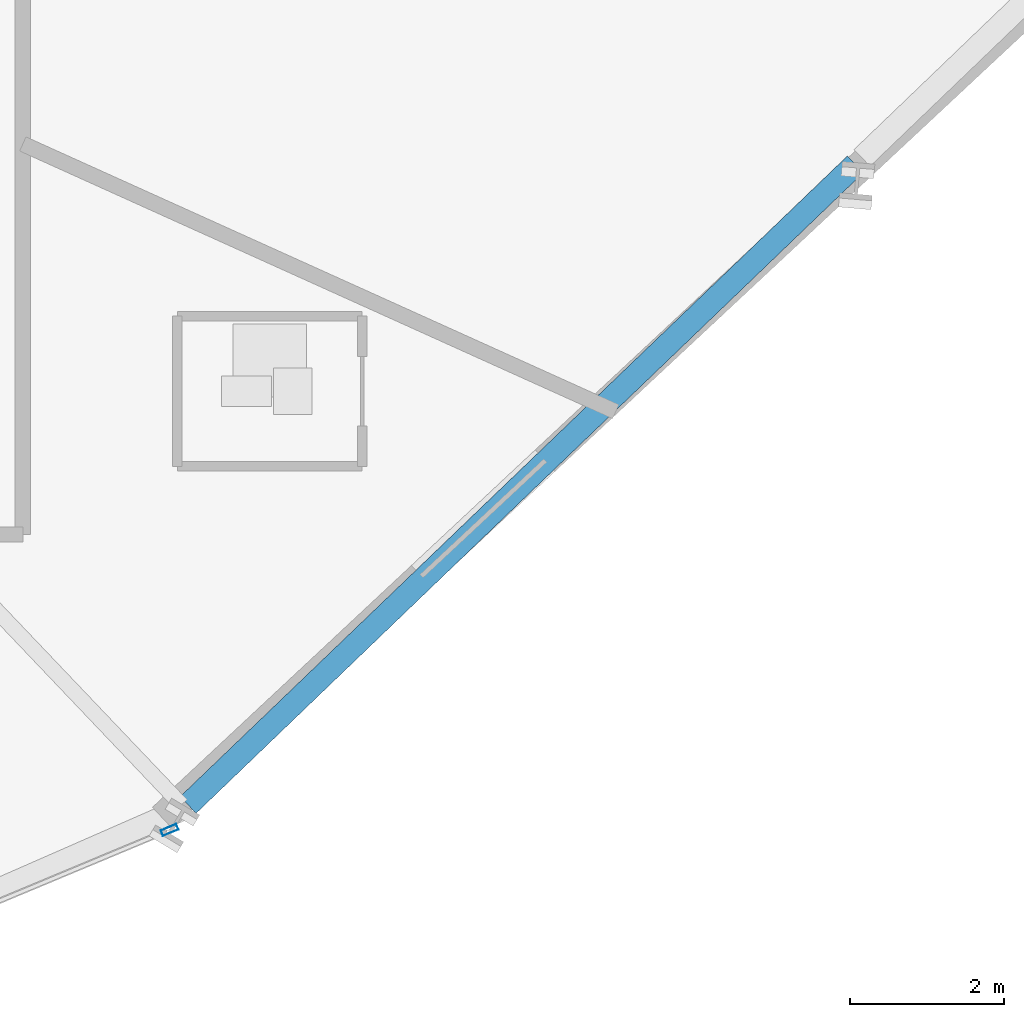
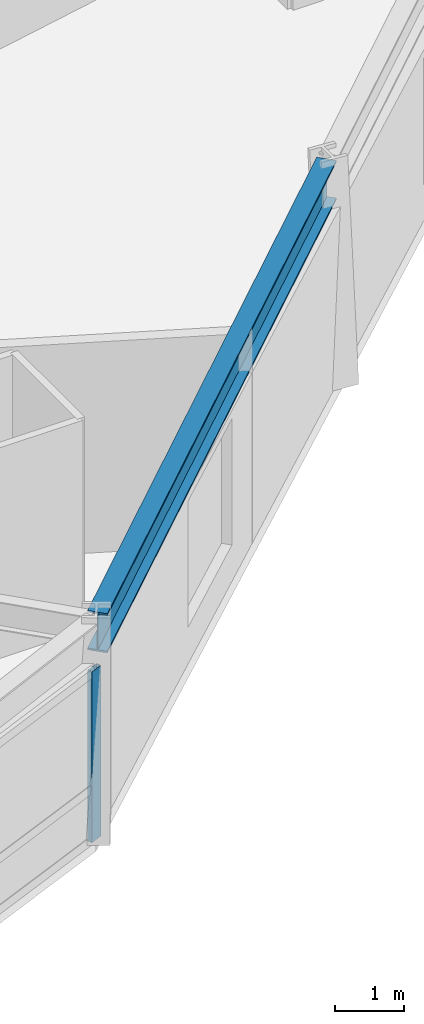
# One storey, part 8 of 19: 1 beam, 1 member, 1 element without a shape of its own.
"""IFC4 building model written with IfcOpenShell, lengths in metres."""

from ifc_helpers import new_model, si_unit, direction, frame, origin, origin_2d, place, context, subcontext, project, spatial, hollow_rectangle, i_section, extrude, source, transform, mapped, material, material_profile, profile_set, type_object, element, aggregate, save


model = new_model("IFC4")

# Units and contexts
model_context = context("Model", 3, precision=1e-05, world=origin(), true_north=direction((0.0, 1.0)))
body_context = subcontext(model_context, "Body", "Model", "MODEL_VIEW")
ifc_project = project(units=[si_unit("LENGTHUNIT", "METRE"), si_unit("AREAUNIT", "SQUARE_METRE"), si_unit("VOLUMEUNIT", "CUBIC_METRE"), si_unit("PLANEANGLEUNIT", "RADIAN"), si_unit("MASSUNIT", "GRAM", prefix="KILO")], contexts=[model_context])

# Site, building, storey
site_placement = place(None, origin())
site = spatial("IfcSite", under=ifc_project, at=site_placement, CompositionType="ELEMENT")
building_placement = place(site_placement, origin())
building = spatial("IfcBuilding", under=site, at=building_placement, Name="Olszyna Solenne Hotel", CompositionType="ELEMENT")
storey_placement = place(building_placement, frame((0.0, 0.0, 71.89990234375)))
storey = spatial("IfcBuildingStorey", under=building, at=storey_placement, Name="L18", CompositionType="ELEMENT", Elevation=71.89990234375)

# Beam
ifc_material_1 = material(Name="Steel S355J2", Category="steel")
ifc_material_profile_1 = material_profile(ifc_material_1, i_section(OverallWidth=0.300048828125, OverallDepth=0.699951171875, WebThickness=0.01708984375, FlangeThickness=0.031982421875, at=origin_2d()), Name="HEB 700", Category="load-bearing")
ifc_profile_set_1 = profile_set([ifc_material_profile_1], Name="Steel S355J2")
beam_type = type_object("IfcBeamType", Name="BM-S1", PredefinedType="BEAM", material=ifc_profile_set_1)
shared_shape_1 = source(origin(), body_context, "Body", "SweptSolid", [
    extrude(i_section(OverallWidth=0.300048828125, OverallDepth=0.699951171875, WebThickness=0.01708984375, FlangeThickness=0.031982421875, at=origin_2d()), origin(), (0.0, 0.0, 1.0), 12.00537109375),
])
beam_placement = place(storey_placement, frame((50.84423828125, 13.190185546875, 3.400146484375), z_axis=(0.721397886842, 0.692520821969, 0.0), x_axis=(-0.692520821969, 0.721397886842, 0.0)))
element("IfcBeam", 1, at=beam_placement, inside=storey, type_object=beam_type, Name="Perimeter spandrel beam BM-S1 B-L18-0560", PredefinedType="BEAM", context=body_context, shape_type="MappedRepresentation", body=[
    mapped(shared_shape_1, transform((0.0, 0.0, 0.0), x_axis=(1.0, 0.0, 0.0), y_axis=(0.0, 1.0, 0.0), z_axis=(0.0, 0.0, 1.0), scale=1.0)),
])

# Curtain wall, member
ifc_material_2 = material(Name="Anodised bronze aluminium", Category="aluminium")
curtain_wall_type = type_object("IfcCurtainWallType", Name="CW-SYS-6", PredefinedType="NOTDEFINED", material=ifc_material_2)
curtain_wall_placement = place(storey_placement, origin())
curtain_wall = element("IfcCurtainWall", 2, at=curtain_wall_placement, inside=storey, type_object=curtain_wall_type, Name="Unitised curtain wall CW-SYS-6 CW-L18-01", PredefinedType="NOTDEFINED")
ifc_material_profile_2 = material_profile(ifc_material_2, hollow_rectangle(XDim=0.080078125, YDim=0.219970703125, WallThickness=0.0048828125, at=origin_2d()), Name="MULL 220x80x5", Category="load-bearing")
ifc_profile_set_2 = profile_set([ifc_material_profile_2], Name="Anodised bronze aluminium")
member_type = type_object("IfcMemberType", Name="CW-M1", PredefinedType="MULLION", material=ifc_profile_set_2)
shared_shape_2 = source(origin(), body_context, "Body", "SweptSolid", [
    extrude(hollow_rectangle(XDim=0.080078125, YDim=0.219970703125, WallThickness=0.0048828125, at=origin_2d()), origin(), (0.0, 0.0, 1.0), 3.0419921875),
])
member_placement = place(storey_placement, frame((50.604248046875, 12.866455078125, 0.0), z_axis=(0.0, 0.0, 1.0), x_axis=(-0.385295684368, 0.922793170547, 0.0)))
member = element("IfcMember", 3, at=member_placement, type_object=member_type, Name="Curtain-wall mullion CW-M1 CM-L18-01-04", PredefinedType="MULLION", context=body_context, shape_type="MappedRepresentation", body=[
    mapped(shared_shape_2, transform((0.0, 0.0, 0.0), x_axis=(1.0, 0.0, 0.0), y_axis=(0.0, 1.0, 0.0), z_axis=(0.0, 0.0, 1.0), scale=1.0)),
])
aggregate(curtain_wall, [member])

save(model, "model.ifc")
